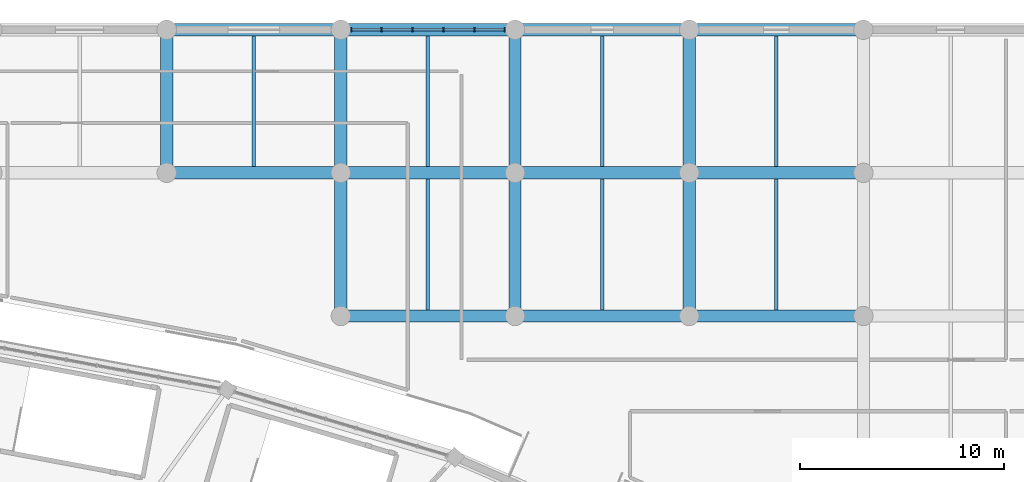
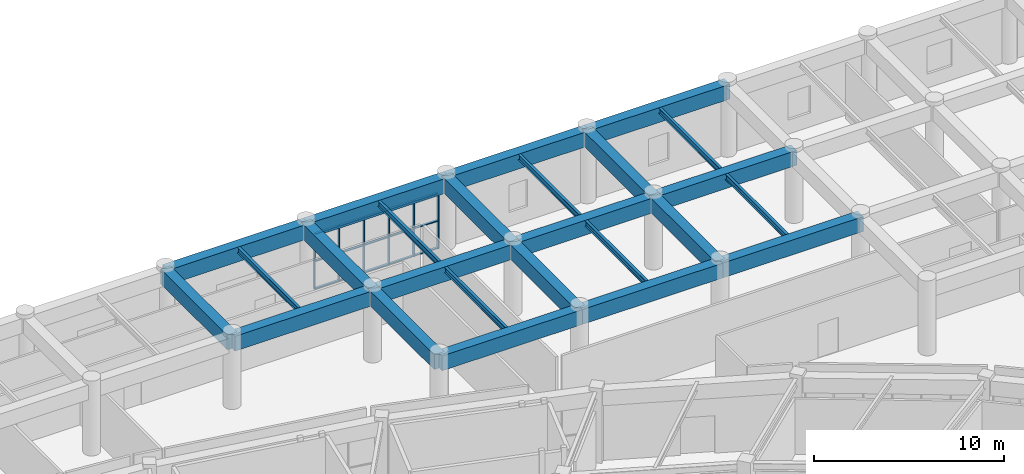
# One storey, part 70 of 137: 25 beams, 21 members, 1 element without a shape of its own.
"""IFC4 building model written with IfcOpenShell, lengths in metres."""

from ifc_helpers import new_model, si_unit, direction, frame, origin, origin_2d, place, context, subcontext, project, spatial, rectangle, i_section, extrude, material, layer, layer_set, material_profile, profile_set, type_object, element, aggregate, save


model = new_model("IFC4")

# Units and contexts
model_context = context("Model", 3, precision=1e-05, world=origin(), true_north=direction((0.0, 1.0)))
body_context = subcontext(model_context, "Body", "Model", "MODEL_VIEW")
ifc_project = project(units=[si_unit("LENGTHUNIT", "METRE"), si_unit("AREAUNIT", "SQUARE_METRE"), si_unit("VOLUMEUNIT", "CUBIC_METRE"), si_unit("PLANEANGLEUNIT", "RADIAN"), si_unit("MASSUNIT", "GRAM", prefix="KILO")], contexts=[model_context])

# Site, building, storey
site_placement = place(None, origin())
site = spatial("IfcSite", under=ifc_project, at=site_placement, CompositionType="ELEMENT")
building_placement = place(site_placement, origin())
building = spatial("IfcBuilding", under=site, at=building_placement, Name="Mphavela Belvedere Stadium", CompositionType="ELEMENT")
storey_placement = place(building_placement, frame((0.0, 0.0, 19.199951171875)))
storey = spatial("IfcBuildingStorey", under=building, at=storey_placement, Name="L04", CompositionType="ELEMENT", Elevation=19.199951171875)

# Beams
ifc_material_1 = material(Name="Concrete C40/50", Category="concrete")
ifc_material_profile_1 = material_profile(ifc_material_1, rectangle(XDim=0.60009765625, YDim=0.949951171875, at=origin_2d()), Name="RC 600x950")
ifc_profile_set_1 = profile_set([ifc_material_profile_1], Name="Concrete C40/50")
beam_type_1 = type_object("IfcBeamType", Name="BM-ENTABLATURE-950", PredefinedType="SPANDREL", material=ifc_profile_set_1)
beam_1_placement = place(storey_placement, frame((161.85205078125, 167.0, 4.06494140625), z_axis=(1.0, 0.0, 0.0), x_axis=(0.0, 1.0, 0.0)))
element("IfcBeam", 1, at=beam_1_placement, inside=storey, type_object=beam_type_1, Name="North Mast and Ceremonial End Forecourt entablature beam X L04 20-7", PredefinedType="SPANDREL", context=body_context, shape_type="SweptSolid", body=[
    extrude(rectangle(XDim=0.60009765625, YDim=0.949951171875, at=origin_2d()), origin(), (0.0, 0.0, 1.0), 8.51806640625),
])
beam_2_placement = place(storey_placement, frame((161.85205078125, 167.0, 4.06494140625), z_axis=(0.0, 1.0, 0.0), x_axis=(-1.0, 0.0, 0.0)))
element("IfcBeam", 2, at=beam_2_placement, inside=storey, type_object=beam_type_1, Name="North Mast and Ceremonial End Forecourt entablature beam Y L04 20-7", PredefinedType="SPANDREL", context=body_context, shape_type="SweptSolid", body=[
    extrude(rectangle(XDim=0.60009765625, YDim=0.949951171875, at=origin_2d()), origin(), (0.0, 0.0, 1.0), 7.0),
])
beam_3_placement = place(storey_placement, frame((161.85205078125, 174.0, 4.06494140625), z_axis=(1.0, 0.0, 0.0), x_axis=(0.0, 1.0, 0.0)))
element("IfcBeam", 3, at=beam_3_placement, inside=storey, type_object=beam_type_1, Name="North Mast and Ceremonial End Forecourt entablature beam X L04 20-8", PredefinedType="SPANDREL", context=body_context, shape_type="SweptSolid", body=[
    extrude(rectangle(XDim=0.60009765625, YDim=0.949951171875, at=origin_2d()), origin(), (0.0, 0.0, 1.0), 8.51806640625),
])
beam_4_placement = place(storey_placement, frame((170.3701171875, 160.0, 4.06494140625), z_axis=(1.0, 0.0, 0.0), x_axis=(0.0, 1.0, 0.0)))
element("IfcBeam", 4, at=beam_4_placement, inside=storey, type_object=beam_type_1, Name="North Mast and Ceremonial End Forecourt entablature beam X L04 21-6", PredefinedType="SPANDREL", context=body_context, shape_type="SweptSolid", body=[
    extrude(rectangle(XDim=0.60009765625, YDim=0.949951171875, at=origin_2d()), origin(), (0.0, 0.0, 1.0), 8.518798828125),
])
beam_5_placement = place(storey_placement, frame((170.3701171875, 160.0, 4.06494140625), z_axis=(0.0, 1.0, 0.0), x_axis=(-1.0, 0.0, 0.0)))
element("IfcBeam", 5, at=beam_5_placement, inside=storey, type_object=beam_type_1, Name="North Mast and Ceremonial End Forecourt entablature beam Y L04 21-6", PredefinedType="SPANDREL", context=body_context, shape_type="SweptSolid", body=[
    extrude(rectangle(XDim=0.60009765625, YDim=0.949951171875, at=origin_2d()), origin(), (0.0, 0.0, 1.0), 7.0),
])
beam_6_placement = place(storey_placement, frame((170.3701171875, 167.0, 4.06494140625), z_axis=(1.0, 0.0, 0.0), x_axis=(0.0, 1.0, 0.0)))
element("IfcBeam", 6, at=beam_6_placement, inside=storey, type_object=beam_type_1, Name="North Mast and Ceremonial End Forecourt entablature beam X L04 21-7", PredefinedType="SPANDREL", context=body_context, shape_type="SweptSolid", body=[
    extrude(rectangle(XDim=0.60009765625, YDim=0.949951171875, at=origin_2d()), origin(), (0.0, 0.0, 1.0), 8.518798828125),
])
beam_7_placement = place(storey_placement, frame((170.3701171875, 167.0, 4.06494140625), z_axis=(0.0, 1.0, 0.0), x_axis=(-1.0, 0.0, 0.0)))
element("IfcBeam", 7, at=beam_7_placement, inside=storey, type_object=beam_type_1, Name="North Mast and Ceremonial End Forecourt entablature beam Y L04 21-7", PredefinedType="SPANDREL", context=body_context, shape_type="SweptSolid", body=[
    extrude(rectangle(XDim=0.60009765625, YDim=0.949951171875, at=origin_2d()), origin(), (0.0, 0.0, 1.0), 7.0),
])
beam_8_placement = place(storey_placement, frame((170.3701171875, 174.0, 4.06494140625), z_axis=(1.0, 0.0, 0.0), x_axis=(0.0, 1.0, 0.0)))
element("IfcBeam", 8, at=beam_8_placement, inside=storey, type_object=beam_type_1, Name="North Mast and Ceremonial End Forecourt entablature beam X L04 21-8", PredefinedType="SPANDREL", context=body_context, shape_type="SweptSolid", body=[
    extrude(rectangle(XDim=0.60009765625, YDim=0.949951171875, at=origin_2d()), origin(), (0.0, 0.0, 1.0), 8.518798828125),
])
beam_9_placement = place(storey_placement, frame((178.888916015625, 160.0, 4.06494140625), z_axis=(1.0, 0.0, 0.0), x_axis=(0.0, 1.0, 0.0)))
element("IfcBeam", 9, at=beam_9_placement, inside=storey, type_object=beam_type_1, Name="North Mast and Ceremonial End Forecourt entablature beam X L04 22-6", PredefinedType="SPANDREL", context=body_context, shape_type="SweptSolid", body=[
    extrude(rectangle(XDim=0.60009765625, YDim=0.949951171875, at=origin_2d()), origin(), (0.0, 0.0, 1.0), 8.51806640625),
])
beam_10_placement = place(storey_placement, frame((178.888916015625, 160.0, 4.06494140625), z_axis=(0.0, 1.0, 0.0), x_axis=(-1.0, 0.0, 0.0)))
element("IfcBeam", 10, at=beam_10_placement, inside=storey, type_object=beam_type_1, Name="North Mast and Ceremonial End Forecourt entablature beam Y L04 22-6", PredefinedType="SPANDREL", context=body_context, shape_type="SweptSolid", body=[
    extrude(rectangle(XDim=0.60009765625, YDim=0.949951171875, at=origin_2d()), origin(), (0.0, 0.0, 1.0), 7.0),
])
beam_11_placement = place(storey_placement, frame((178.888916015625, 167.0, 4.06494140625), z_axis=(1.0, 0.0, 0.0), x_axis=(0.0, 1.0, 0.0)))
element("IfcBeam", 11, at=beam_11_placement, inside=storey, type_object=beam_type_1, Name="North Mast and Ceremonial End Forecourt entablature beam X L04 22-7", PredefinedType="SPANDREL", context=body_context, shape_type="SweptSolid", body=[
    extrude(rectangle(XDim=0.60009765625, YDim=0.949951171875, at=origin_2d()), origin(), (0.0, 0.0, 1.0), 8.51806640625),
])
beam_12_placement = place(storey_placement, frame((178.888916015625, 167.0, 4.06494140625), z_axis=(0.0, 1.0, 0.0), x_axis=(-1.0, 0.0, 0.0)))
element("IfcBeam", 12, at=beam_12_placement, inside=storey, type_object=beam_type_1, Name="North Mast and Ceremonial End Forecourt entablature beam Y L04 22-7", PredefinedType="SPANDREL", context=body_context, shape_type="SweptSolid", body=[
    extrude(rectangle(XDim=0.60009765625, YDim=0.949951171875, at=origin_2d()), origin(), (0.0, 0.0, 1.0), 7.0),
])
beam_13_placement = place(storey_placement, frame((178.888916015625, 174.0, 4.06494140625), z_axis=(1.0, 0.0, 0.0), x_axis=(0.0, 1.0, 0.0)))
element("IfcBeam", 13, at=beam_13_placement, inside=storey, type_object=beam_type_1, Name="North Mast and Ceremonial End Forecourt entablature beam X L04 22-8", PredefinedType="SPANDREL", context=body_context, shape_type="SweptSolid", body=[
    extrude(rectangle(XDim=0.60009765625, YDim=0.949951171875, at=origin_2d()), origin(), (0.0, 0.0, 1.0), 8.51806640625),
])
beam_14_placement = place(storey_placement, frame((187.406982421875, 160.0, 4.06494140625), z_axis=(1.0, 0.0, 0.0), x_axis=(0.0, 1.0, 0.0)))
element("IfcBeam", 14, at=beam_14_placement, inside=storey, type_object=beam_type_1, Name="North Mast and Ceremonial End Forecourt entablature beam X L04 23-6", PredefinedType="SPANDREL", context=body_context, shape_type="SweptSolid", body=[
    extrude(rectangle(XDim=0.60009765625, YDim=0.949951171875, at=origin_2d()), origin(), (0.0, 0.0, 1.0), 8.51904296875),
])
beam_15_placement = place(storey_placement, frame((187.406982421875, 160.0, 4.06494140625), z_axis=(0.0, 1.0, 0.0), x_axis=(-1.0, 0.0, 0.0)))
element("IfcBeam", 15, at=beam_15_placement, inside=storey, type_object=beam_type_1, Name="North Mast and Ceremonial End Forecourt entablature beam Y L04 23-6", PredefinedType="SPANDREL", context=body_context, shape_type="SweptSolid", body=[
    extrude(rectangle(XDim=0.60009765625, YDim=0.949951171875, at=origin_2d()), origin(), (0.0, 0.0, 1.0), 7.0),
])
beam_16_placement = place(storey_placement, frame((187.406982421875, 167.0, 4.06494140625), z_axis=(1.0, 0.0, 0.0), x_axis=(0.0, 1.0, 0.0)))
element("IfcBeam", 16, at=beam_16_placement, inside=storey, type_object=beam_type_1, Name="North Mast and Ceremonial End Forecourt entablature beam X L04 23-7", PredefinedType="SPANDREL", context=body_context, shape_type="SweptSolid", body=[
    extrude(rectangle(XDim=0.60009765625, YDim=0.949951171875, at=origin_2d()), origin(), (0.0, 0.0, 1.0), 8.51904296875),
])
beam_17_placement = place(storey_placement, frame((187.406982421875, 167.0, 4.06494140625), z_axis=(0.0, 1.0, 0.0), x_axis=(-1.0, 0.0, 0.0)))
element("IfcBeam", 17, at=beam_17_placement, inside=storey, type_object=beam_type_1, Name="North Mast and Ceremonial End Forecourt entablature beam Y L04 23-7", PredefinedType="SPANDREL", context=body_context, shape_type="SweptSolid", body=[
    extrude(rectangle(XDim=0.60009765625, YDim=0.949951171875, at=origin_2d()), origin(), (0.0, 0.0, 1.0), 7.0),
])
beam_18_placement = place(storey_placement, frame((187.406982421875, 174.0, 4.06494140625), z_axis=(1.0, 0.0, 0.0), x_axis=(0.0, 1.0, 0.0)))
element("IfcBeam", 18, at=beam_18_placement, inside=storey, type_object=beam_type_1, Name="North Mast and Ceremonial End Forecourt entablature beam X L04 23-8", PredefinedType="SPANDREL", context=body_context, shape_type="SweptSolid", body=[
    extrude(rectangle(XDim=0.60009765625, YDim=0.949951171875, at=origin_2d()), origin(), (0.0, 0.0, 1.0), 8.51904296875),
])
ifc_material_2 = material(Name="Steel S355", Category="steel")
ifc_material_profile_2 = material_profile(ifc_material_2, i_section(OverallWidth=0.169921875, OverallDepth=0.360107421875, WebThickness=0.008056640625, FlangeThickness=0.0126953125, at=origin_2d()), Name="IPE 360")
ifc_profile_set_2 = profile_set([ifc_material_profile_2], Name="Steel S355")
beam_type_2 = type_object("IfcBeamType", Name="BM-JOIST-IPE360", PredefinedType="JOIST", material=ifc_profile_set_2)
for number, where, z_axis, x_axis, name in (
    (19, (166.111083984375, 167.300048828125, 4.360107421875), (0.0, 1.0, 0.0), (-1.0, 0.0, 0.0), "North Mast and Ceremonial End Forecourt secondary joist L04 20-7"),
    (20, (174.62939453125, 160.300048828125, 4.360107421875), (0.0, 1.0, 0.0), (-1.0, 0.0, 0.0), "North Mast and Ceremonial End Forecourt secondary joist L04 21-6"),
    (21, (174.62939453125, 167.300048828125, 4.360107421875), (0.0, 1.0, 0.0), (-1.0, 0.0, 0.0), "North Mast and Ceremonial End Forecourt secondary joist L04 21-7"),
    (22, (183.14794921875, 160.300048828125, 4.360107421875), (0.0, 1.0, 0.0), (-1.0, 0.0, 0.0), "North Mast and Ceremonial End Forecourt secondary joist L04 22-6"),
    (23, (183.14794921875, 167.300048828125, 4.360107421875), (0.0, 1.0, 0.0), (-1.0, 0.0, 0.0), "North Mast and Ceremonial End Forecourt secondary joist L04 22-7"),
    (24, (191.66650390625, 160.300048828125, 4.360107421875), (0.0, 1.0, 0.0), (-1.0, 0.0, 0.0), "North Mast and Ceremonial End Forecourt secondary joist L04 23-6"),
    (25, (191.66650390625, 167.300048828125, 4.360107421875), (0.0, 1.0, 0.0), (-1.0, 0.0, 0.0), "North Mast and Ceremonial End Forecourt secondary joist L04 23-7"),
):
    element("IfcBeam", number, at=place(storey_placement, frame(where, z_axis=z_axis, x_axis=x_axis)), inside=storey, type_object=beam_type_2, Name=name, PredefinedType="JOIST", context=body_context, shape_type="SweptSolid", body=[
        extrude(i_section(OverallWidth=0.169921875, OverallDepth=0.360107421875, WebThickness=0.008056640625, FlangeThickness=0.0126953125, at=origin_2d()), origin(), (0.0, 0.0, 1.0), 6.39990234375),
    ])

# Curtain wall, members
ifc_material_3 = material(Name="Anodised bronze unitised curtain wall framing")
ifc_layer = layer(ifc_material_3, 0.205078125)
ifc_layer_set = layer_set([ifc_layer], Name="Anodised bronze unitised curtain wall framing")
curtain_wall_type = type_object("IfcCurtainWallType", Name="CW-UNIT-06", PredefinedType="USERDEFINED", material=ifc_layer_set)
curtain_wall_placement = place(storey_placement, origin())
curtain_wall = element("IfcCurtainWall", 26, at=curtain_wall_placement, inside=storey, type_object=curtain_wall_type, Name="North Mast and Ceremonial End Forecourt gallery curtain wall L04-21", ObjectType="UNITISED CURTAIN WALL", PredefinedType="USERDEFINED")
ifc_material_4 = material(Name="Anodised bronze extruded aluminium", Category="aluminium")
ifc_material_profile_3 = material_profile(ifc_material_4, rectangle(XDim=0.179931640625, YDim=0.06494140625, at=origin_2d()), Name="CW-MUL 180x65")
ifc_profile_set_3 = profile_set([ifc_material_profile_3], Name="Anodised bronze extruded aluminium")
member_type_1 = type_object("IfcMemberType", Name="CWM-180x65", PredefinedType="MULLION", material=ifc_profile_set_3)
member_1_placement = place(storey_placement, frame((170.87548828125, 174.0, 0.0), z_axis=(0.0, 0.0, 1.0), x_axis=(0.0, 1.0, 0.0)))
member_1 = element("IfcMember", 27, at=member_1_placement, type_object=member_type_1, Name="CW-06 mullion 1", PredefinedType="MULLION", context=body_context, shape_type="SweptSolid", body=[
    extrude(rectangle(XDim=0.179931640625, YDim=0.06494140625, at=origin_2d()), origin(), (0.0, 0.0, 1.0), 3.56005859375),
])
member_2_placement = place(storey_placement, frame((172.357666015625, 174.0, 0.0), z_axis=(0.0, 0.0, 1.0), x_axis=(0.0, 1.0, 0.0)))
member_2 = element("IfcMember", 28, at=member_2_placement, type_object=member_type_1, Name="CW-06 mullion 2", PredefinedType="MULLION", context=body_context, shape_type="SweptSolid", body=[
    extrude(rectangle(XDim=0.179931640625, YDim=0.06494140625, at=origin_2d()), origin(), (0.0, 0.0, 1.0), 3.56005859375),
])
member_3_placement = place(storey_placement, frame((173.872314453125, 174.0, 0.0), z_axis=(0.0, 0.0, 1.0), x_axis=(0.0, 1.0, 0.0)))
member_3 = element("IfcMember", 29, at=member_3_placement, type_object=member_type_1, Name="CW-06 mullion 3", PredefinedType="MULLION", context=body_context, shape_type="SweptSolid", body=[
    extrude(rectangle(XDim=0.179931640625, YDim=0.06494140625, at=origin_2d()), origin(), (0.0, 0.0, 1.0), 3.56005859375),
])
member_4_placement = place(storey_placement, frame((175.38671875, 174.0, 0.0), z_axis=(0.0, 0.0, 1.0), x_axis=(0.0, 1.0, 0.0)))
member_4 = element("IfcMember", 30, at=member_4_placement, type_object=member_type_1, Name="CW-06 mullion 4", PredefinedType="MULLION", context=body_context, shape_type="SweptSolid", body=[
    extrude(rectangle(XDim=0.179931640625, YDim=0.06494140625, at=origin_2d()), origin(), (0.0, 0.0, 1.0), 3.56005859375),
])
member_5_placement = place(storey_placement, frame((176.9013671875, 174.0, 0.0), z_axis=(0.0, 0.0, 1.0), x_axis=(0.0, 1.0, 0.0)))
member_5 = element("IfcMember", 31, at=member_5_placement, type_object=member_type_1, Name="CW-06 mullion 5", PredefinedType="MULLION", context=body_context, shape_type="SweptSolid", body=[
    extrude(rectangle(XDim=0.179931640625, YDim=0.06494140625, at=origin_2d()), origin(), (0.0, 0.0, 1.0), 3.56005859375),
])
member_6_placement = place(storey_placement, frame((178.383544921875, 174.0, 0.0), z_axis=(0.0, 0.0, 1.0), x_axis=(0.0, 1.0, 0.0)))
member_6 = element("IfcMember", 32, at=member_6_placement, type_object=member_type_1, Name="CW-06 mullion 6", PredefinedType="MULLION", context=body_context, shape_type="SweptSolid", body=[
    extrude(rectangle(XDim=0.179931640625, YDim=0.06494140625, at=origin_2d()), origin(), (0.0, 0.0, 1.0), 3.56005859375),
])
ifc_material_5 = material(Name="Anodised bronze extruded aluminium", Category="aluminium")
ifc_material_profile_4 = material_profile(ifc_material_5, rectangle(XDim=0.139892578125, YDim=0.06005859375, at=origin_2d()), Name="CW-TRN 140x60")
ifc_profile_set_4 = profile_set([ifc_material_profile_4], Name="Anodised bronze extruded aluminium")
member_type_2 = type_object("IfcMemberType", Name="CWT-140x60", PredefinedType="USERDEFINED", material=ifc_profile_set_4)
member_7_placement = place(storey_placement, frame((170.907958984375, 174.0, 0.030029296875), z_axis=(1.0, 0.0, 0.0), x_axis=(0.0, 1.0, 0.0)))
member_7 = element("IfcMember", 33, at=member_7_placement, type_object=member_type_2, Name="CW-06 transom 1.1", ObjectType="TRANSOM", PredefinedType="USERDEFINED", context=body_context, shape_type="SweptSolid", body=[
    extrude(rectangle(XDim=0.139892578125, YDim=0.06005859375, at=origin_2d()), origin(), (0.0, 0.0, 1.0), 1.417236328125),
])
member_8_placement = place(storey_placement, frame((170.907958984375, 174.0, 1.780029296875), z_axis=(1.0, 0.0, 0.0), x_axis=(0.0, 1.0, 0.0)))
member_8 = element("IfcMember", 34, at=member_8_placement, type_object=member_type_2, Name="CW-06 transom 1.2", ObjectType="TRANSOM", PredefinedType="USERDEFINED", context=body_context, shape_type="SweptSolid", body=[
    extrude(rectangle(XDim=0.139892578125, YDim=0.06005859375, at=origin_2d()), origin(), (0.0, 0.0, 1.0), 1.417236328125),
])
member_9_placement = place(storey_placement, frame((170.907958984375, 174.0, 3.530029296875), z_axis=(1.0, 0.0, 0.0), x_axis=(0.0, 1.0, 0.0)))
member_9 = element("IfcMember", 35, at=member_9_placement, type_object=member_type_2, Name="CW-06 transom 1.3", ObjectType="TRANSOM", PredefinedType="USERDEFINED", context=body_context, shape_type="SweptSolid", body=[
    extrude(rectangle(XDim=0.139892578125, YDim=0.06005859375, at=origin_2d()), origin(), (0.0, 0.0, 1.0), 1.417236328125),
])
member_10_placement = place(storey_placement, frame((172.39013671875, 174.0, 0.030029296875), z_axis=(1.0, 0.0, 0.0), x_axis=(0.0, 1.0, 0.0)))
member_10 = element("IfcMember", 36, at=member_10_placement, type_object=member_type_2, Name="CW-06 transom 2.1", ObjectType="TRANSOM", PredefinedType="USERDEFINED", context=body_context, shape_type="SweptSolid", body=[
    extrude(rectangle(XDim=0.139892578125, YDim=0.06005859375, at=origin_2d()), origin(), (0.0, 0.0, 1.0), 1.449462890625),
])
member_11_placement = place(storey_placement, frame((172.39013671875, 174.0, 1.780029296875), z_axis=(1.0, 0.0, 0.0), x_axis=(0.0, 1.0, 0.0)))
member_11 = element("IfcMember", 37, at=member_11_placement, type_object=member_type_2, Name="CW-06 transom 2.2", ObjectType="TRANSOM", PredefinedType="USERDEFINED", context=body_context, shape_type="SweptSolid", body=[
    extrude(rectangle(XDim=0.139892578125, YDim=0.06005859375, at=origin_2d()), origin(), (0.0, 0.0, 1.0), 1.449462890625),
])
member_12_placement = place(storey_placement, frame((172.39013671875, 174.0, 3.530029296875), z_axis=(1.0, 0.0, 0.0), x_axis=(0.0, 1.0, 0.0)))
member_12 = element("IfcMember", 38, at=member_12_placement, type_object=member_type_2, Name="CW-06 transom 2.3", ObjectType="TRANSOM", PredefinedType="USERDEFINED", context=body_context, shape_type="SweptSolid", body=[
    extrude(rectangle(XDim=0.139892578125, YDim=0.06005859375, at=origin_2d()), origin(), (0.0, 0.0, 1.0), 1.449462890625),
])
member_13_placement = place(storey_placement, frame((173.90478515625, 174.0, 0.030029296875), z_axis=(1.0, 0.0, 0.0), x_axis=(0.0, 1.0, 0.0)))
member_13 = element("IfcMember", 39, at=member_13_placement, type_object=member_type_2, Name="CW-06 transom 3.1", ObjectType="TRANSOM", PredefinedType="USERDEFINED", context=body_context, shape_type="SweptSolid", body=[
    extrude(rectangle(XDim=0.139892578125, YDim=0.06005859375, at=origin_2d()), origin(), (0.0, 0.0, 1.0), 1.449462890625),
])
member_14_placement = place(storey_placement, frame((173.90478515625, 174.0, 1.780029296875), z_axis=(1.0, 0.0, 0.0), x_axis=(0.0, 1.0, 0.0)))
member_14 = element("IfcMember", 40, at=member_14_placement, type_object=member_type_2, Name="CW-06 transom 3.2", ObjectType="TRANSOM", PredefinedType="USERDEFINED", context=body_context, shape_type="SweptSolid", body=[
    extrude(rectangle(XDim=0.139892578125, YDim=0.06005859375, at=origin_2d()), origin(), (0.0, 0.0, 1.0), 1.449462890625),
])
member_15_placement = place(storey_placement, frame((173.90478515625, 174.0, 3.530029296875), z_axis=(1.0, 0.0, 0.0), x_axis=(0.0, 1.0, 0.0)))
member_15 = element("IfcMember", 41, at=member_15_placement, type_object=member_type_2, Name="CW-06 transom 3.3", ObjectType="TRANSOM", PredefinedType="USERDEFINED", context=body_context, shape_type="SweptSolid", body=[
    extrude(rectangle(XDim=0.139892578125, YDim=0.06005859375, at=origin_2d()), origin(), (0.0, 0.0, 1.0), 1.449462890625),
])
member_16_placement = place(storey_placement, frame((175.419189453125, 174.0, 0.030029296875), z_axis=(1.0, 0.0, 0.0), x_axis=(0.0, 1.0, 0.0)))
member_16 = element("IfcMember", 42, at=member_16_placement, type_object=member_type_2, Name="CW-06 transom 4.1", ObjectType="TRANSOM", PredefinedType="USERDEFINED", context=body_context, shape_type="SweptSolid", body=[
    extrude(rectangle(XDim=0.139892578125, YDim=0.06005859375, at=origin_2d()), origin(), (0.0, 0.0, 1.0), 1.44970703125),
])
member_17_placement = place(storey_placement, frame((175.419189453125, 174.0, 1.780029296875), z_axis=(1.0, 0.0, 0.0), x_axis=(0.0, 1.0, 0.0)))
member_17 = element("IfcMember", 43, at=member_17_placement, type_object=member_type_2, Name="CW-06 transom 4.2", ObjectType="TRANSOM", PredefinedType="USERDEFINED", context=body_context, shape_type="SweptSolid", body=[
    extrude(rectangle(XDim=0.139892578125, YDim=0.06005859375, at=origin_2d()), origin(), (0.0, 0.0, 1.0), 1.44970703125),
])
member_18_placement = place(storey_placement, frame((175.419189453125, 174.0, 3.530029296875), z_axis=(1.0, 0.0, 0.0), x_axis=(0.0, 1.0, 0.0)))
member_18 = element("IfcMember", 44, at=member_18_placement, type_object=member_type_2, Name="CW-06 transom 4.3", ObjectType="TRANSOM", PredefinedType="USERDEFINED", context=body_context, shape_type="SweptSolid", body=[
    extrude(rectangle(XDim=0.139892578125, YDim=0.06005859375, at=origin_2d()), origin(), (0.0, 0.0, 1.0), 1.44970703125),
])
member_19_placement = place(storey_placement, frame((176.933837890625, 174.0, 0.030029296875), z_axis=(1.0, 0.0, 0.0), x_axis=(0.0, 1.0, 0.0)))
member_19 = element("IfcMember", 45, at=member_19_placement, type_object=member_type_2, Name="CW-06 transom 5.1", ObjectType="TRANSOM", PredefinedType="USERDEFINED", context=body_context, shape_type="SweptSolid", body=[
    extrude(rectangle(XDim=0.139892578125, YDim=0.06005859375, at=origin_2d()), origin(), (0.0, 0.0, 1.0), 1.417236328125),
])
member_20_placement = place(storey_placement, frame((176.933837890625, 174.0, 1.780029296875), z_axis=(1.0, 0.0, 0.0), x_axis=(0.0, 1.0, 0.0)))
member_20 = element("IfcMember", 46, at=member_20_placement, type_object=member_type_2, Name="CW-06 transom 5.2", ObjectType="TRANSOM", PredefinedType="USERDEFINED", context=body_context, shape_type="SweptSolid", body=[
    extrude(rectangle(XDim=0.139892578125, YDim=0.06005859375, at=origin_2d()), origin(), (0.0, 0.0, 1.0), 1.417236328125),
])
member_21_placement = place(storey_placement, frame((176.933837890625, 174.0, 3.530029296875), z_axis=(1.0, 0.0, 0.0), x_axis=(0.0, 1.0, 0.0)))
member_21 = element("IfcMember", 47, at=member_21_placement, type_object=member_type_2, Name="CW-06 transom 5.3", ObjectType="TRANSOM", PredefinedType="USERDEFINED", context=body_context, shape_type="SweptSolid", body=[
    extrude(rectangle(XDim=0.139892578125, YDim=0.06005859375, at=origin_2d()), origin(), (0.0, 0.0, 1.0), 1.417236328125),
])
aggregate(curtain_wall, [member_1, member_2, member_3, member_4, member_5, member_6, member_7, member_8, member_9, member_10, member_11, member_12, member_13, member_14, member_15, member_16, member_17, member_18, member_19, member_20, member_21])

save(model, "model.ifc")
